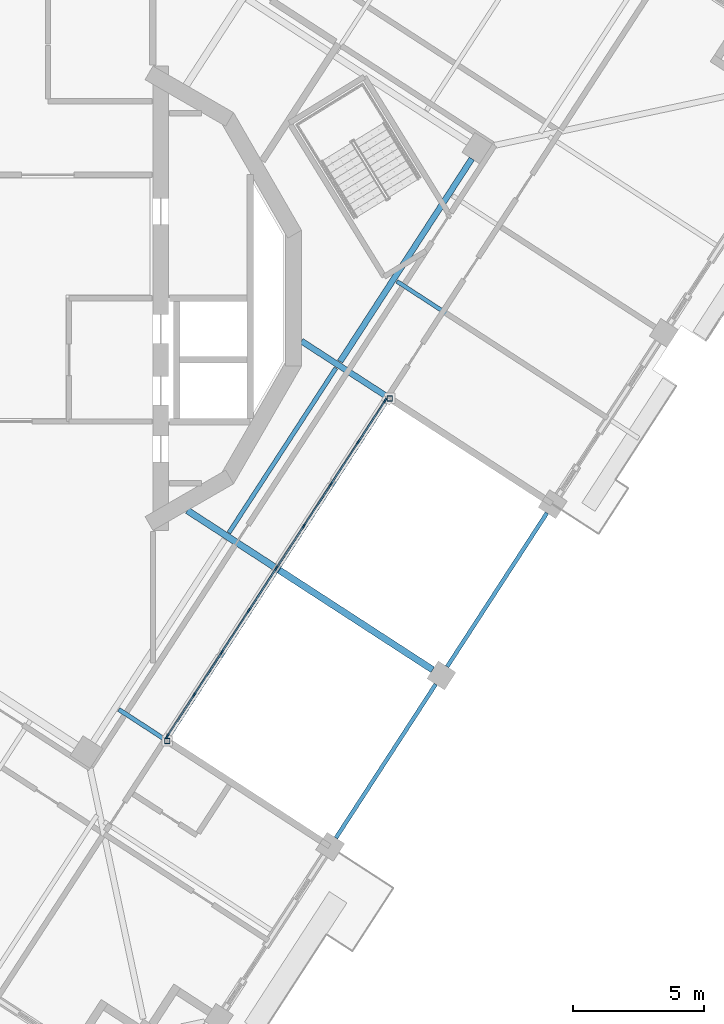
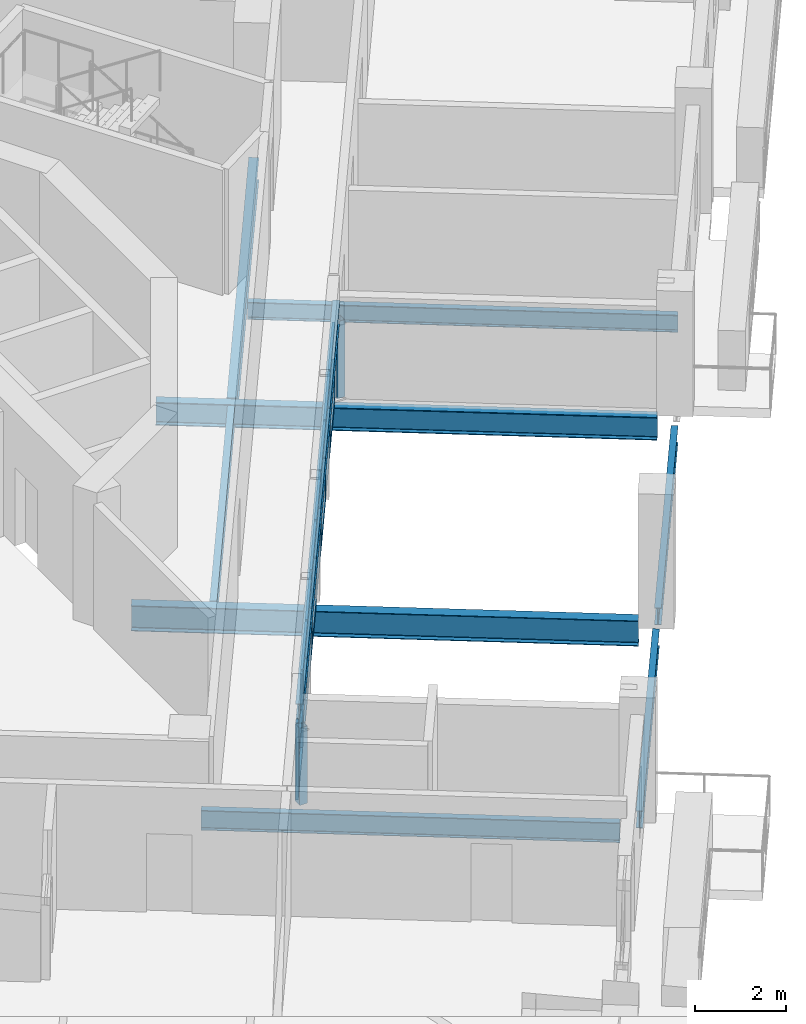
# One storey, part 2 of 17: 35 members, 9 beams, 1 element without a shape of its own.
"""IFC4 building model written with IfcOpenShell, lengths in metres."""

from ifc_helpers import new_model, si_unit, direction, frame, origin, origin_2d, place, context, subcontext, project, spatial, rectangle, hollow_rectangle, i_section, extrude, material, material_profile, profile_set, type_object, element, aggregate, save


model = new_model("IFC4")

# Units and contexts
model_context = context("Model", 3, precision=1e-05, world=origin(), true_north=direction((0.0, 1.0)))
body_context = subcontext(model_context, "Body", "Model", "MODEL_VIEW")
ifc_project = project(units=[si_unit("LENGTHUNIT", "METRE"), si_unit("AREAUNIT", "SQUARE_METRE"), si_unit("VOLUMEUNIT", "CUBIC_METRE"), si_unit("PLANEANGLEUNIT", "RADIAN"), si_unit("MASSUNIT", "GRAM", prefix="KILO")], contexts=[model_context])

# Site, building, storey
site_placement = place(None, origin())
site = spatial("IfcSite", under=ifc_project, at=site_placement, CompositionType="ELEMENT")
building_placement = place(site_placement, origin())
building = spatial("IfcBuilding", under=site, at=building_placement, Name="Cantera Rosa Tower", CompositionType="ELEMENT")
storey_placement = place(building_placement, frame((0.0, 0.0, 257.699951171875)))
storey = spatial("IfcBuildingStorey", under=building, at=storey_placement, Name="L57", CompositionType="ELEMENT", Elevation=257.699951171875)

# Curtain wall, members
ifc_material_1 = material(Name="Aluminium frame with clear glass", Category="aluminium")
curtain_wall_type = type_object("IfcCurtainWallType", Name="CW1 TERRACE POCKET GLAZING", PredefinedType="NOTDEFINED", material=ifc_material_1)
curtain_wall_placement = place(storey_placement, origin())
curtain_wall = element("IfcCurtainWall", 1, at=curtain_wall_placement, inside=storey, type_object=curtain_wall_type, Name="CW1 CW1", PredefinedType="NOTDEFINED")
ifc_material_2 = material(Name="Anodised bronze aluminium", Category="aluminium")
ifc_material_profile_1 = material_profile(ifc_material_2, rectangle(XDim=0.06005859375, YDim=0.179931640625, at=origin_2d()), Name="CW-MULLION 60x180 POCKET")
ifc_profile_set_1 = profile_set([ifc_material_profile_1], Name="Anodised bronze aluminium")
member_type_1 = type_object("IfcMemberType", Name="CW-MULLION 60x180 POCKET", PredefinedType="MULLION", material=ifc_profile_set_1)
member_1_placement = place(storey_placement, frame((4.54736328125, -16.68310546875, 0.0), z_axis=(0.0, 0.0, 1.0), x_axis=(-0.838670567964, 0.544639034986, 0.0)))
member_1 = element("IfcMember", 2, at=member_1_placement, type_object=member_type_1, Name="CW1 mullion 1", PredefinedType="MULLION", context=body_context, shape_type="SweptSolid", body=[
    extrude(rectangle(XDim=0.06005859375, YDim=0.179931640625, at=origin_2d()), origin(), (0.0, 0.0, 1.0), 2.06201171875),
])
member_2_placement = place(storey_placement, frame((5.5732421875, -15.103271484375, 0.0), z_axis=(0.0, 0.0, 1.0), x_axis=(-0.838670567964, 0.544639034986, 0.0)))
member_2 = element("IfcMember", 3, at=member_2_placement, type_object=member_type_1, Name="CW1 mullion 2", PredefinedType="MULLION", context=body_context, shape_type="SweptSolid", body=[
    extrude(rectangle(XDim=0.06005859375, YDim=0.179931640625, at=origin_2d()), origin(), (0.0, 0.0, 1.0), 2.06201171875),
])
member_3_placement = place(storey_placement, frame((6.615478515625, -13.498291015625, 0.0), z_axis=(0.0, 0.0, 1.0), x_axis=(-0.838670567964, 0.544639034986, 0.0)))
member_3 = element("IfcMember", 4, at=member_3_placement, type_object=member_type_1, Name="CW1 mullion 3", PredefinedType="MULLION", context=body_context, shape_type="SweptSolid", body=[
    extrude(rectangle(XDim=0.06005859375, YDim=0.179931640625, at=origin_2d()), origin(), (0.0, 0.0, 1.0), 2.06201171875),
])
member_4_placement = place(storey_placement, frame((7.657958984375, -11.893310546875, 0.0), z_axis=(0.0, 0.0, 1.0), x_axis=(-0.838670567964, 0.544639034986, 0.0)))
member_4 = element("IfcMember", 5, at=member_4_placement, type_object=member_type_1, Name="CW1 mullion 4", PredefinedType="MULLION", context=body_context, shape_type="SweptSolid", body=[
    extrude(rectangle(XDim=0.06005859375, YDim=0.179931640625, at=origin_2d()), origin(), (0.0, 0.0, 1.0), 2.06201171875),
])
member_5_placement = place(storey_placement, frame((8.7001953125, -10.288330078125, 0.0), z_axis=(0.0, 0.0, 1.0), x_axis=(-0.838670567964, 0.544639034986, 0.0)))
member_5 = element("IfcMember", 6, at=member_5_placement, type_object=member_type_1, Name="CW1 mullion 5", PredefinedType="MULLION", context=body_context, shape_type="SweptSolid", body=[
    extrude(rectangle(XDim=0.06005859375, YDim=0.179931640625, at=origin_2d()), origin(), (0.0, 0.0, 1.0), 2.06201171875),
])
member_6_placement = place(storey_placement, frame((9.742431640625, -8.683349609375, 0.0), z_axis=(0.0, 0.0, 1.0), x_axis=(-0.838670567964, 0.544639034986, 0.0)))
member_6 = element("IfcMember", 7, at=member_6_placement, type_object=member_type_1, Name="CW1 mullion 6", PredefinedType="MULLION", context=body_context, shape_type="SweptSolid", body=[
    extrude(rectangle(XDim=0.06005859375, YDim=0.179931640625, at=origin_2d()), origin(), (0.0, 0.0, 1.0), 2.06201171875),
])
member_7_placement = place(storey_placement, frame((10.784912109375, -7.078369140625, 0.0), z_axis=(0.0, 0.0, 1.0), x_axis=(-0.838670567964, 0.544639034986, 0.0)))
member_7 = element("IfcMember", 8, at=member_7_placement, type_object=member_type_1, Name="CW1 mullion 7", PredefinedType="MULLION", context=body_context, shape_type="SweptSolid", body=[
    extrude(rectangle(XDim=0.06005859375, YDim=0.179931640625, at=origin_2d()), origin(), (0.0, 0.0, 1.0), 2.06201171875),
])
member_8_placement = place(storey_placement, frame((11.8271484375, -5.47314453125, 0.0), z_axis=(0.0, 0.0, 1.0), x_axis=(-0.838670567964, 0.544639034986, 0.0)))
member_8 = element("IfcMember", 9, at=member_8_placement, type_object=member_type_1, Name="CW1 mullion 8", PredefinedType="MULLION", context=body_context, shape_type="SweptSolid", body=[
    extrude(rectangle(XDim=0.06005859375, YDim=0.179931640625, at=origin_2d()), origin(), (0.0, 0.0, 1.0), 2.06201171875),
])
member_9_placement = place(storey_placement, frame((12.85302734375, -3.893310546875, 0.0), z_axis=(0.0, 0.0, 1.0), x_axis=(-0.838670567964, 0.544639034986, 0.0)))
member_9 = element("IfcMember", 10, at=member_9_placement, type_object=member_type_1, Name="CW1 mullion 9", PredefinedType="MULLION", context=body_context, shape_type="SweptSolid", body=[
    extrude(rectangle(XDim=0.06005859375, YDim=0.179931640625, at=origin_2d()), origin(), (0.0, 0.0, 1.0), 2.06201171875),
])
ifc_material_3 = material(Name="Anodised bronze aluminium", Category="aluminium")
ifc_material_profile_2 = material_profile(ifc_material_3, rectangle(XDim=0.06005859375, YDim=0.139892578125, at=origin_2d()), Name="CW-TRANSOM 60x140 POCKET")
ifc_profile_set_2 = profile_set([ifc_material_profile_2], Name="Anodised bronze aluminium")
member_type_2 = type_object("IfcMemberType", Name="CW-TRANSOM 60x140 POCKET", PredefinedType="USERDEFINED", material=ifc_profile_set_2)
member_10_placement = place(storey_placement, frame((4.563720703125, -16.657958984375, 0.030029296875), z_axis=(0.544588321702, 0.838703499376, 0.0), x_axis=(-0.838703499376, 0.544588321702, 0.0)))
member_10 = element("IfcMember", 11, at=member_10_placement, type_object=member_type_2, Name="CW1 transom 1.1", ObjectType="TRANSOM", PredefinedType="USERDEFINED", context=body_context, shape_type="SweptSolid", body=[
    extrude(rectangle(XDim=0.06005859375, YDim=0.139892578125, at=origin_2d()), origin(), (0.0, 0.0, 1.0), 1.82373046875),
])
member_11_placement = place(storey_placement, frame((4.563720703125, -16.657958984375, 1.031005859375), z_axis=(0.544588321702, 0.838703499376, 0.0), x_axis=(-0.838703499376, 0.544588321702, 0.0)))
member_11 = element("IfcMember", 12, at=member_11_placement, type_object=member_type_2, Name="CW1 transom 1.2", ObjectType="TRANSOM", PredefinedType="USERDEFINED", context=body_context, shape_type="SweptSolid", body=[
    extrude(rectangle(XDim=0.06005859375, YDim=0.139892578125, at=origin_2d()), origin(), (0.0, 0.0, 1.0), 1.82373046875),
])
member_12_placement = place(storey_placement, frame((4.563720703125, -16.657958984375, 2.031982421875), z_axis=(0.544588321702, 0.838703499376, 0.0), x_axis=(-0.838703499376, 0.544588321702, 0.0)))
member_12 = element("IfcMember", 13, at=member_12_placement, type_object=member_type_2, Name="CW1 transom 1.3", ObjectType="TRANSOM", PredefinedType="USERDEFINED", context=body_context, shape_type="SweptSolid", body=[
    extrude(rectangle(XDim=0.06005859375, YDim=0.139892578125, at=origin_2d()), origin(), (0.0, 0.0, 1.0), 1.82373046875),
])
member_13_placement = place(storey_placement, frame((5.589599609375, -15.078125, 0.030029296875), z_axis=(0.544692059849, 0.838636130832, 0.0), x_axis=(-0.838636130832, 0.544692059849, 0.0)))
member_13 = element("IfcMember", 14, at=member_13_placement, type_object=member_type_2, Name="CW1 transom 2.1", ObjectType="TRANSOM", PredefinedType="USERDEFINED", context=body_context, shape_type="SweptSolid", body=[
    extrude(rectangle(XDim=0.06005859375, YDim=0.139892578125, at=origin_2d()), origin(), (0.0, 0.0, 1.0), 1.853759765625),
])
member_14_placement = place(storey_placement, frame((5.589599609375, -15.078125, 1.031005859375), z_axis=(0.544692059849, 0.838636130832, 0.0), x_axis=(-0.838636130832, 0.544692059849, 0.0)))
member_14 = element("IfcMember", 15, at=member_14_placement, type_object=member_type_2, Name="CW1 transom 2.2", ObjectType="TRANSOM", PredefinedType="USERDEFINED", context=body_context, shape_type="SweptSolid", body=[
    extrude(rectangle(XDim=0.06005859375, YDim=0.139892578125, at=origin_2d()), origin(), (0.0, 0.0, 1.0), 1.853759765625),
])
member_15_placement = place(storey_placement, frame((5.589599609375, -15.078125, 2.031982421875), z_axis=(0.544692059849, 0.838636130832, 0.0), x_axis=(-0.838636130832, 0.544692059849, 0.0)))
member_15 = element("IfcMember", 16, at=member_15_placement, type_object=member_type_2, Name="CW1 transom 2.3", ObjectType="TRANSOM", PredefinedType="USERDEFINED", context=body_context, shape_type="SweptSolid", body=[
    extrude(rectangle(XDim=0.06005859375, YDim=0.139892578125, at=origin_2d()), origin(), (0.0, 0.0, 1.0), 1.853759765625),
])
member_16_placement = place(storey_placement, frame((6.6318359375, -13.47314453125, 0.030029296875), z_axis=(0.544692059849, 0.838636130832, 0.0), x_axis=(-0.838636130832, 0.544692059849, 0.0)))
member_16 = element("IfcMember", 17, at=member_16_placement, type_object=member_type_2, Name="CW1 transom 3.1", ObjectType="TRANSOM", PredefinedType="USERDEFINED", context=body_context, shape_type="SweptSolid", body=[
    extrude(rectangle(XDim=0.06005859375, YDim=0.139892578125, at=origin_2d()), origin(), (0.0, 0.0, 1.0), 1.853759765625),
])
member_17_placement = place(storey_placement, frame((6.6318359375, -13.47314453125, 1.031005859375), z_axis=(0.544692059849, 0.838636130832, 0.0), x_axis=(-0.838636130832, 0.544692059849, 0.0)))
member_17 = element("IfcMember", 18, at=member_17_placement, type_object=member_type_2, Name="CW1 transom 3.2", ObjectType="TRANSOM", PredefinedType="USERDEFINED", context=body_context, shape_type="SweptSolid", body=[
    extrude(rectangle(XDim=0.06005859375, YDim=0.139892578125, at=origin_2d()), origin(), (0.0, 0.0, 1.0), 1.853759765625),
])
member_18_placement = place(storey_placement, frame((6.6318359375, -13.47314453125, 2.031982421875), z_axis=(0.544692059849, 0.838636130832, 0.0), x_axis=(-0.838636130832, 0.544692059849, 0.0)))
member_18 = element("IfcMember", 19, at=member_18_placement, type_object=member_type_2, Name="CW1 transom 3.3", ObjectType="TRANSOM", PredefinedType="USERDEFINED", context=body_context, shape_type="SweptSolid", body=[
    extrude(rectangle(XDim=0.06005859375, YDim=0.139892578125, at=origin_2d()), origin(), (0.0, 0.0, 1.0), 1.853759765625),
])
member_19_placement = place(storey_placement, frame((7.67431640625, -11.8681640625, 0.030029296875), z_axis=(0.544599427137, 0.838696288273, 0.0), x_axis=(-0.838696288273, 0.544599427137, 0.0)))
member_19 = element("IfcMember", 20, at=member_19_placement, type_object=member_type_2, Name="CW1 transom 4.1", ObjectType="TRANSOM", PredefinedType="USERDEFINED", context=body_context, shape_type="SweptSolid", body=[
    extrude(rectangle(XDim=0.06005859375, YDim=0.139892578125, at=origin_2d()), origin(), (0.0, 0.0, 1.0), 1.853759765625),
])
member_20_placement = place(storey_placement, frame((7.67431640625, -11.8681640625, 1.031005859375), z_axis=(0.544599427137, 0.838696288273, 0.0), x_axis=(-0.838696288273, 0.544599427137, 0.0)))
member_20 = element("IfcMember", 21, at=member_20_placement, type_object=member_type_2, Name="CW1 transom 4.2", ObjectType="TRANSOM", PredefinedType="USERDEFINED", context=body_context, shape_type="SweptSolid", body=[
    extrude(rectangle(XDim=0.06005859375, YDim=0.139892578125, at=origin_2d()), origin(), (0.0, 0.0, 1.0), 1.853759765625),
])
member_21_placement = place(storey_placement, frame((7.67431640625, -11.8681640625, 2.031982421875), z_axis=(0.544599427137, 0.838696288273, 0.0), x_axis=(-0.838696288273, 0.544599427137, 0.0)))
member_21 = element("IfcMember", 22, at=member_21_placement, type_object=member_type_2, Name="CW1 transom 4.3", ObjectType="TRANSOM", PredefinedType="USERDEFINED", context=body_context, shape_type="SweptSolid", body=[
    extrude(rectangle(XDim=0.06005859375, YDim=0.139892578125, at=origin_2d()), origin(), (0.0, 0.0, 1.0), 1.853759765625),
])
member_22_placement = place(storey_placement, frame((8.716552734375, -10.26318359375, 0.030029296875), z_axis=(0.544599427137, 0.838696288273, 0.0), x_axis=(-0.838696288273, 0.544599427137, 0.0)))
member_22 = element("IfcMember", 23, at=member_22_placement, type_object=member_type_2, Name="CW1 transom 5.1", ObjectType="TRANSOM", PredefinedType="USERDEFINED", context=body_context, shape_type="SweptSolid", body=[
    extrude(rectangle(XDim=0.06005859375, YDim=0.139892578125, at=origin_2d()), origin(), (0.0, 0.0, 1.0), 1.853759765625),
])
member_23_placement = place(storey_placement, frame((8.716552734375, -10.26318359375, 1.031005859375), z_axis=(0.544599427137, 0.838696288273, 0.0), x_axis=(-0.838696288273, 0.544599427137, 0.0)))
member_23 = element("IfcMember", 24, at=member_23_placement, type_object=member_type_2, Name="CW1 transom 5.2", ObjectType="TRANSOM", PredefinedType="USERDEFINED", context=body_context, shape_type="SweptSolid", body=[
    extrude(rectangle(XDim=0.06005859375, YDim=0.139892578125, at=origin_2d()), origin(), (0.0, 0.0, 1.0), 1.853759765625),
])
member_24_placement = place(storey_placement, frame((8.716552734375, -10.26318359375, 2.031982421875), z_axis=(0.544599427137, 0.838696288273, 0.0), x_axis=(-0.838696288273, 0.544599427137, 0.0)))
member_24 = element("IfcMember", 25, at=member_24_placement, type_object=member_type_2, Name="CW1 transom 5.3", ObjectType="TRANSOM", PredefinedType="USERDEFINED", context=body_context, shape_type="SweptSolid", body=[
    extrude(rectangle(XDim=0.06005859375, YDim=0.139892578125, at=origin_2d()), origin(), (0.0, 0.0, 1.0), 1.853759765625),
])
member_25_placement = place(storey_placement, frame((9.7587890625, -8.658203125, 0.030029296875), z_axis=(0.544692059849, 0.838636130832, 0.0), x_axis=(-0.838636130832, 0.544692059849, 0.0)))
member_25 = element("IfcMember", 26, at=member_25_placement, type_object=member_type_2, Name="CW1 transom 6.1", ObjectType="TRANSOM", PredefinedType="USERDEFINED", context=body_context, shape_type="SweptSolid", body=[
    extrude(rectangle(XDim=0.06005859375, YDim=0.139892578125, at=origin_2d()), origin(), (0.0, 0.0, 1.0), 1.853759765625),
])
member_26_placement = place(storey_placement, frame((9.7587890625, -8.658203125, 1.031005859375), z_axis=(0.544692059849, 0.838636130832, 0.0), x_axis=(-0.838636130832, 0.544692059849, 0.0)))
member_26 = element("IfcMember", 27, at=member_26_placement, type_object=member_type_2, Name="CW1 transom 6.2", ObjectType="TRANSOM", PredefinedType="USERDEFINED", context=body_context, shape_type="SweptSolid", body=[
    extrude(rectangle(XDim=0.06005859375, YDim=0.139892578125, at=origin_2d()), origin(), (0.0, 0.0, 1.0), 1.853759765625),
])
member_27_placement = place(storey_placement, frame((9.7587890625, -8.658203125, 2.031982421875), z_axis=(0.544692059849, 0.838636130832, 0.0), x_axis=(-0.838636130832, 0.544692059849, 0.0)))
member_27 = element("IfcMember", 28, at=member_27_placement, type_object=member_type_2, Name="CW1 transom 6.3", ObjectType="TRANSOM", PredefinedType="USERDEFINED", context=body_context, shape_type="SweptSolid", body=[
    extrude(rectangle(XDim=0.06005859375, YDim=0.139892578125, at=origin_2d()), origin(), (0.0, 0.0, 1.0), 1.853759765625),
])
member_28_placement = place(storey_placement, frame((10.80126953125, -7.052978515625, 0.030029296875), z_axis=(0.544659589021, 0.83865721966, 0.0), x_axis=(-0.83865721966, 0.544659589021, 0.0)))
member_28 = element("IfcMember", 29, at=member_28_placement, type_object=member_type_2, Name="CW1 transom 7.1", ObjectType="TRANSOM", PredefinedType="USERDEFINED", context=body_context, shape_type="SweptSolid", body=[
    extrude(rectangle(XDim=0.06005859375, YDim=0.139892578125, at=origin_2d()), origin(), (0.0, 0.0, 1.0), 1.853515625),
])
member_29_placement = place(storey_placement, frame((10.80126953125, -7.052978515625, 1.031005859375), z_axis=(0.544659589021, 0.83865721966, 0.0), x_axis=(-0.83865721966, 0.544659589021, 0.0)))
member_29 = element("IfcMember", 30, at=member_29_placement, type_object=member_type_2, Name="CW1 transom 7.2", ObjectType="TRANSOM", PredefinedType="USERDEFINED", context=body_context, shape_type="SweptSolid", body=[
    extrude(rectangle(XDim=0.06005859375, YDim=0.139892578125, at=origin_2d()), origin(), (0.0, 0.0, 1.0), 1.853515625),
])
member_30_placement = place(storey_placement, frame((10.80126953125, -7.052978515625, 2.031982421875), z_axis=(0.544659589021, 0.83865721966, 0.0), x_axis=(-0.83865721966, 0.544659589021, 0.0)))
member_30 = element("IfcMember", 31, at=member_30_placement, type_object=member_type_2, Name="CW1 transom 7.3", ObjectType="TRANSOM", PredefinedType="USERDEFINED", context=body_context, shape_type="SweptSolid", body=[
    extrude(rectangle(XDim=0.06005859375, YDim=0.139892578125, at=origin_2d()), origin(), (0.0, 0.0, 1.0), 1.853515625),
])
member_31_placement = place(storey_placement, frame((11.843505859375, -5.447998046875, 0.030029296875), z_axis=(0.544588321702, 0.838703499376, 0.0), x_axis=(-0.838703499376, 0.544588321702, 0.0)))
member_31 = element("IfcMember", 32, at=member_31_placement, type_object=member_type_2, Name="CW1 transom 8.1", ObjectType="TRANSOM", PredefinedType="USERDEFINED", context=body_context, shape_type="SweptSolid", body=[
    extrude(rectangle(XDim=0.06005859375, YDim=0.139892578125, at=origin_2d()), origin(), (0.0, 0.0, 1.0), 1.82373046875),
])
member_32_placement = place(storey_placement, frame((11.843505859375, -5.447998046875, 1.031005859375), z_axis=(0.544588321702, 0.838703499376, 0.0), x_axis=(-0.838703499376, 0.544588321702, 0.0)))
member_32 = element("IfcMember", 33, at=member_32_placement, type_object=member_type_2, Name="CW1 transom 8.2", ObjectType="TRANSOM", PredefinedType="USERDEFINED", context=body_context, shape_type="SweptSolid", body=[
    extrude(rectangle(XDim=0.06005859375, YDim=0.139892578125, at=origin_2d()), origin(), (0.0, 0.0, 1.0), 1.82373046875),
])
member_33_placement = place(storey_placement, frame((11.843505859375, -5.447998046875, 2.031982421875), z_axis=(0.544588321702, 0.838703499376, 0.0), x_axis=(-0.838703499376, 0.544588321702, 0.0)))
member_33 = element("IfcMember", 34, at=member_33_placement, type_object=member_type_2, Name="CW1 transom 8.3", ObjectType="TRANSOM", PredefinedType="USERDEFINED", context=body_context, shape_type="SweptSolid", body=[
    extrude(rectangle(XDim=0.06005859375, YDim=0.139892578125, at=origin_2d()), origin(), (0.0, 0.0, 1.0), 1.82373046875),
])
aggregate(curtain_wall, [member_1, member_2, member_3, member_4, member_5, member_6, member_7, member_8, member_9, member_10, member_11, member_12, member_13, member_14, member_15, member_16, member_17, member_18, member_19, member_20, member_21, member_22, member_23, member_24, member_25, member_26, member_27, member_28, member_29, member_30, member_31, member_32, member_33])

# Members
ifc_material_4 = material(Name="Steel ASTM A992 (Fy 345 MPa)", Category="steel")
ifc_material_profile_3 = material_profile(ifc_material_4, hollow_rectangle(XDim=0.199951171875, YDim=0.199951171875, WallThickness=0.010009765625, at=origin_2d()), Name="LINTEL POST RHS 200x200x10")
ifc_profile_set_3 = profile_set([ifc_material_profile_3], Name="Steel ASTM A992 (Fy 345 MPa)")
member_type_3 = type_object("IfcMemberType", Name="LINTEL POST RHS 200x200x10", PredefinedType="USERDEFINED", material=ifc_profile_set_3)
for number, where, z_axis, x_axis, name in (
    (35, (4.546875, -16.86767578125, 0.0), (0.0, 0.0, 1.0), (1.0, 0.0, 0.0), "LINTEL POST L57-1"),
    (36, (13.021484375, -3.81787109375, 0.0), (0.0, 0.0, 1.0), (1.0, 0.0, 0.0), "LINTEL POST L57-2"),
):
    element("IfcMember", number, at=place(storey_placement, frame(where, z_axis=z_axis, x_axis=x_axis)), inside=storey, type_object=member_type_3, Name=name, ObjectType="LINTEL POST", PredefinedType="USERDEFINED", context=body_context, shape_type="SweptSolid", body=[
        extrude(hollow_rectangle(XDim=0.199951171875, YDim=0.199951171875, WallThickness=0.010009765625, at=origin_2d()), origin(), (0.0, 0.0, 1.0), 2.06396484375),
    ])

# Beams
ifc_material_5 = material(Name="Steel ASTM A992 (Fy 345 MPa)", Category="steel")
ifc_material_profile_4 = material_profile(ifc_material_5, i_section(OverallWidth=0.166015625, OverallDepth=0.528076171875, WebThickness=0.009765625, FlangeThickness=0.013671875, FilletRadius=0.0126953125, at=origin_2d()), Name="W530X74")
ifc_profile_set_4 = profile_set([ifc_material_profile_4], Name="Steel ASTM A992 (Fy 345 MPa)")
beam_type_1 = type_object("IfcBeamType", Name="STEEL BEAM W530X74", PredefinedType="BEAM", material=ifc_profile_set_4)
beam_1_placement = place(storey_placement, frame((10.41748046875, -20.68017578125, -0.513916015625), z_axis=(-0.838669083999, 0.544641320086, 0.0), x_axis=(-0.544641320086, -0.838669083999, 0.0)))
element("IfcBeam", 37, at=beam_1_placement, inside=storey, type_object=beam_type_1, Name="G-Z5-08 L57", PredefinedType="BEAM", context=body_context, shape_type="SweptSolid", body=[
    extrude(i_section(OverallWidth=0.166015625, OverallDepth=0.528076171875, WebThickness=0.009765625, FlangeThickness=0.013671875, FilletRadius=0.0126953125, at=origin_2d()), origin(), (0.0, 0.0, 1.0), 9.2001953125),
])
beam_2_placement = place(storey_placement, frame((6.894775390625, -8.93701171875, -0.513916015625), z_axis=(0.544649868382, 0.838663532575, 0.0), x_axis=(-0.838663532575, 0.544649868382, 0.0)))
element("IfcBeam", 38, at=beam_2_placement, inside=storey, type_object=beam_type_1, Name="RB-Z5-05 L57", PredefinedType="BEAM", context=body_context, shape_type="SweptSolid", body=[
    extrude(i_section(OverallWidth=0.166015625, OverallDepth=0.528076171875, WebThickness=0.009765625, FlangeThickness=0.013671875, FilletRadius=0.0126953125, at=origin_2d()), origin(), (0.0, 0.0, 1.0), 7.47998046875),
])
beam_3_placement = place(storey_placement, frame((4.531982421875, -16.79833984375, 2.328125), z_axis=(0.544641940052, 0.838668681385, 0.0), x_axis=(-0.838668681385, 0.544641940052, 0.0)))
element("IfcBeam", 39, at=beam_3_placement, inside=storey, type_object=beam_type_1, Name="LINTEL SL-L57", PredefinedType="BEAM", context=body_context, shape_type="SweptSolid", body=[
    extrude(i_section(OverallWidth=0.166015625, OverallDepth=0.528076171875, WebThickness=0.009765625, FlangeThickness=0.013671875, FilletRadius=0.0126953125, at=origin_2d()), origin(), (0.0, 0.0, 1.0), 15.4599609375),
])
ifc_material_6 = material(Name="Steel ASTM A992 (Fy 345 MPa)", Category="steel")
ifc_material_profile_5 = material_profile(ifc_material_6, i_section(OverallWidth=0.22802734375, OverallDepth=0.60205078125, WebThickness=0.010498046875, FlangeThickness=0.014892578125, FilletRadius=0.0126953125, at=origin_2d()), Name="W610X101")
ifc_profile_set_5 = profile_set([ifc_material_profile_5], Name="Steel ASTM A992 (Fy 345 MPa)")
beam_type_2 = type_object("IfcBeamType", Name="STEEL BEAM W610X101", PredefinedType="BEAM", material=ifc_profile_set_5)
beam_4_placement = place(storey_placement, frame((11.132080078125, -2.412109375, -0.551025390625), z_axis=(0.54463982867, 0.838670052539, 0.0), x_axis=(-0.838670052539, 0.54463982867, 0.0)))
element("IfcBeam", 40, at=beam_4_placement, inside=storey, type_object=beam_type_2, Name="RB-Z5-06 L57", PredefinedType="BEAM", context=body_context, shape_type="SweptSolid", body=[
    extrude(i_section(OverallWidth=0.22802734375, OverallDepth=0.60205078125, WebThickness=0.010498046875, FlangeThickness=0.014892578125, FilletRadius=0.0126953125, at=origin_2d()), origin(), (0.0, 0.0, 1.0), 9.2099609375),
])
ifc_material_7 = material(Name="Steel ASTM A992 (Fy 345 MPa)", Category="steel")
ifc_material_profile_6 = material_profile(ifc_material_7, i_section(OverallWidth=0.22900390625, OverallDepth=0.612060546875, WebThickness=0.011962890625, FlangeThickness=0.01953125, FilletRadius=0.0126953125, at=origin_2d()), Name="W610X125")
ifc_profile_set_6 = profile_set([ifc_material_profile_6], Name="Steel ASTM A992 (Fy 345 MPa)")
beam_type_3 = type_object("IfcBeamType", Name="STEEL BEAM W610X125", PredefinedType="BEAM", material=ifc_profile_set_6)
beam_5_placement = place(storey_placement, frame((18.89208984375, -7.63037109375, -0.555908203125), z_axis=(-0.838673569952, 0.544634412302, 0.0), x_axis=(-0.544634412302, -0.838673569952, 0.0)))
element("IfcBeam", 41, at=beam_5_placement, inside=storey, type_object=beam_type_3, Name="G-Z5-10 L57", PredefinedType="BEAM", context=body_context, shape_type="SweptSolid", body=[
    extrude(i_section(OverallWidth=0.22900390625, OverallDepth=0.612060546875, WebThickness=0.011962890625, FlangeThickness=0.01953125, FilletRadius=0.0126953125, at=origin_2d()), origin(), (0.0, 0.0, 1.0), 11.009033203125),
])
ifc_material_8 = material(Name="Steel ASTM A992 (Fy 345 MPa)", Category="steel")
ifc_material_profile_7 = material_profile(ifc_material_8, i_section(OverallWidth=0.25390625, OverallDepth=0.677978515625, WebThickness=0.01171875, FlangeThickness=0.016357421875, FilletRadius=0.01513671875, at=origin_2d()), Name="W690X125")
ifc_profile_set_7 = profile_set([ifc_material_profile_7], Name="Steel ASTM A992 (Fy 345 MPa)")
beam_type_4 = type_object("IfcBeamType", Name="STEEL BEAM W690X125", PredefinedType="BEAM", material=ifc_profile_set_7)
beam_6_placement = place(storey_placement, frame((14.65478515625, -14.1552734375, -0.5888671875), z_axis=(-0.838661833747, 0.544652484265, 0.0), x_axis=(-0.544652484265, -0.838661833747, 0.0)))
element("IfcBeam", 42, at=beam_6_placement, inside=storey, type_object=beam_type_4, Name="G-Z5-09 L57", PredefinedType="BEAM", context=body_context, shape_type="SweptSolid", body=[
    extrude(i_section(OverallWidth=0.25390625, OverallDepth=0.677978515625, WebThickness=0.01171875, FlangeThickness=0.016357421875, FilletRadius=0.01513671875, at=origin_2d()), origin(), (0.0, 0.0, 1.0), 11.141357421875),
])
ifc_material_9 = material(Name="Steel ASTM A992 (Fy 345 MPa)", Category="steel")
ifc_material_profile_8 = material_profile(ifc_material_9, i_section(OverallWidth=0.154052734375, OverallDepth=0.4599609375, WebThickness=0.009033203125, FlangeThickness=0.015380859375, FilletRadius=0.01025390625, at=origin_2d()), Name="W460X68")
ifc_profile_set_8 = profile_set([ifc_material_profile_8], Name="Steel ASTM A992 (Fy 345 MPa)")
beam_type_5 = type_object("IfcBeamType", Name="STEEL JOIST W460X68", PredefinedType="JOIST", material=ifc_profile_set_8)
beam_7_placement = place(storey_placement, frame((21.220458984375, -4.504150390625, -0.47998046875), z_axis=(-0.838667248419, 0.544644146603, 0.0), x_axis=(-0.544644146603, -0.838667248419, 0.0)))
element("IfcBeam", 43, at=beam_7_placement, inside=storey, type_object=beam_type_5, Name="B-Z5-13 L57", PredefinedType="JOIST", context=body_context, shape_type="SweptSolid", body=[
    extrude(i_section(OverallWidth=0.154052734375, OverallDepth=0.4599609375, WebThickness=0.009033203125, FlangeThickness=0.015380859375, FilletRadius=0.01025390625, at=origin_2d()), origin(), (0.0, 0.0, 1.0), 9.4501953125),
])
ifc_material_10 = material(Name="Steel ASTM A992 (Fy 345 MPa)", Category="steel")
ifc_material_profile_9 = material_profile(ifc_material_10, i_section(OverallWidth=0.154052734375, OverallDepth=0.4599609375, WebThickness=0.009033203125, FlangeThickness=0.015380859375, FilletRadius=0.01025390625, at=origin_2d()), Name="W460X68")
ifc_profile_set_9 = profile_set([ifc_material_profile_9], Name="Steel ASTM A992 (Fy 345 MPa)")
beam_type_6 = type_object("IfcBeamType", Name="STEEL SPANDREL BEAM W460X68", PredefinedType="SPANDREL", material=ifc_profile_set_9)
for number, where, z_axis, x_axis, name in (
    (44, (10.970703125, -20.5625, -0.47998046875), (0.544651451949, 0.838662504164, 0.0), (-0.838662504164, 0.544651451949, 0.0), "EB-Z5-21 L57"),
    (45, (15.2080078125, -14.03759765625, -0.47998046875), (0.544651451949, 0.838662504164, 0.0), (-0.838662504164, 0.544651451949, 0.0), "EB-Z5-22 L57"),
):
    element("IfcBeam", number, at=place(storey_placement, frame(where, z_axis=z_axis, x_axis=x_axis)), inside=storey, type_object=beam_type_6, Name=name, PredefinedType="SPANDREL", context=body_context, shape_type="SweptSolid", body=[
        extrude(i_section(OverallWidth=0.154052734375, OverallDepth=0.4599609375, WebThickness=0.009033203125, FlangeThickness=0.015380859375, FilletRadius=0.01025390625, at=origin_2d()), origin(), (0.0, 0.0, 1.0), 6.980224609375),
    ])

save(model, "model.ifc")
